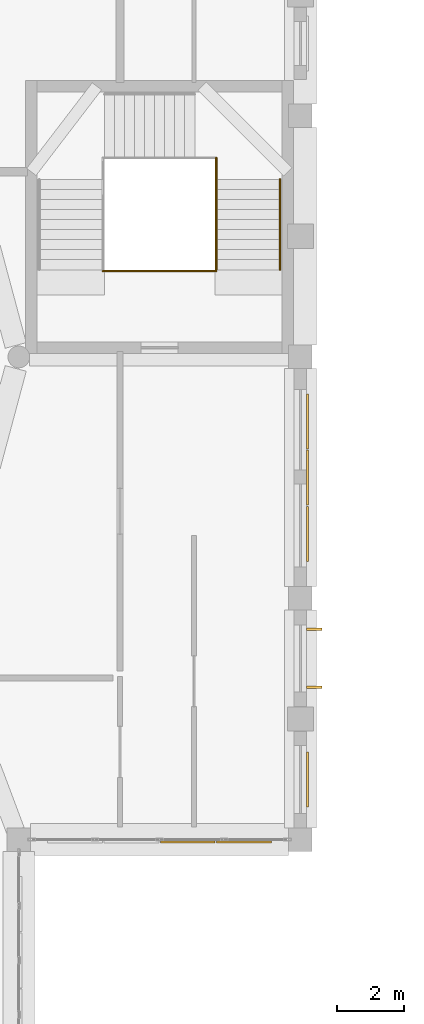
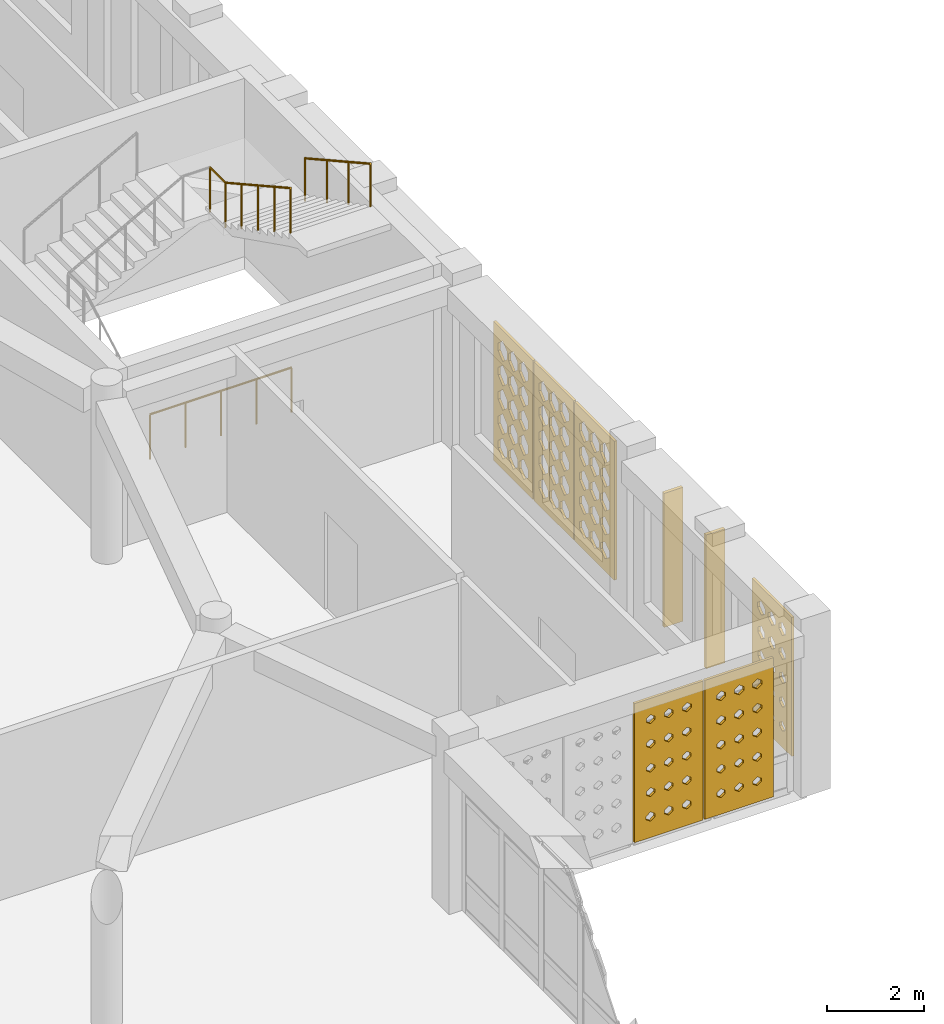
# One storey, part 67 of 79: 6 coverings, 3 railings, 2 shading devices.
"""IFC4 building model written with IfcOpenShell, lengths in metres."""

from ifc_helpers import new_model, si_unit, derived_unit, direction, frame, origin, origin_2d, place, context, subcontext, project, spatial, polyline, rectangle, circle, outline, extrude, material, layer, layer_set, type_object, element, save


model = new_model("IFC4")

# Units and contexts
model_context = context("Model", 3, precision=1e-05, world=origin(), true_north=direction((0.0, 1.0)))
body_context = subcontext(model_context, "Body", "Model", "MODEL_VIEW")
ifc_project = project(units=[si_unit("LENGTHUNIT", "METRE"), si_unit("AREAUNIT", "SQUARE_METRE"), si_unit("VOLUMEUNIT", "CUBIC_METRE"), si_unit("PLANEANGLEUNIT", "RADIAN"), si_unit("MASSUNIT", "GRAM", prefix="KILO"), derived_unit("THERMALTRANSMITTANCEUNIT", [(si_unit("POWERUNIT", "WATT"), 1), (si_unit("LENGTHUNIT", "METRE"), -2), (si_unit("THERMODYNAMICTEMPERATUREUNIT", "KELVIN"), -1)])], contexts=[model_context])

# Site, building, storey
site_placement = place(None, origin())
site = spatial("IfcSite", under=ifc_project, at=site_placement, CompositionType="ELEMENT")
building_placement = place(site_placement, origin())
building = spatial("IfcBuilding", under=site, at=building_placement, Name="Veybourne Emporium", CompositionType="ELEMENT")
storey_placement = place(building_placement, frame((0.0, 0.0, 18.89990234375)))
storey = spatial("IfcBuildingStorey", under=building, at=storey_placement, Name="L04", CompositionType="ELEMENT", Elevation=18.89990234375)

# Railings
ifc_material_1 = material(Name="Brushed Stainless Steel", Category="steel")
railing_type_1 = type_object("IfcRailingType", Name="Guard_GR-01", PredefinedType="GUARDRAIL", material=ifc_material_1)
railing_1_placement = place(storey_placement, frame((98.2900390625, 56.340087890625, 3.0)))
element("IfcRailing", 1, at=railing_1_placement, inside=storey, type_object=railing_type_1, Name="L04 ST-07 stair guard 3", PredefinedType="GUARDRAIL", context=body_context, shape_type="SweptSolid", body=[
    extrude(circle(Radius=0.02392578125, at=origin_2d()), frame((0.0, 0.0, 1.1259765625), z_axis=(0.0, -1.0, 0.0), x_axis=(1.0, 0.0, 0.0)), (0.0, 0.0, 1.0), 0.64013671875),
    extrude(circle(Radius=0.02392578125, at=origin_2d()), frame((0.0, -0.64013671875, 1.1259765625), z_axis=(0.0, -0.87415354758, 0.485649642493), x_axis=(1.0, 0.0, 0.0)), (0.0, 0.0, 1.0), 3.088623046875),
    extrude(circle(Radius=0.02099609375, at=origin_2d()), origin(), (0.0, 0.0, 1.0), 1.101806640625),
    extrude(circle(Radius=0.02099609375, at=origin_2d()), frame((0.0, -0.64013671875, 0.0)), (0.0, 0.0, 1.0), 1.101806640625),
    extrude(circle(Radius=0.02099609375, at=origin_2d()), frame((0.0, -1.315185546875, 0.375)), (0.0, 0.0, 1.0), 1.101806640625),
    extrude(circle(Radius=0.02099609375, at=origin_2d()), frame((0.0, -1.990234375, 0.75)), (0.0, 0.0, 1.0), 1.101806640625),
    extrude(circle(Radius=0.02099609375, at=origin_2d()), frame((0.0, -2.6650390625, 1.125)), (0.0, 0.0, 1.0), 1.101806640625),
    extrude(circle(Radius=0.02099609375, at=origin_2d()), frame((0.0, -3.340087890625, 1.5)), (0.0, 0.0, 1.0), 1.101806640625),
])
railing_2_placement = place(storey_placement, frame((94.909912109375, 52.9599609375, 0.0)))
element("IfcRailing", 2, at=railing_2_placement, inside=storey, type_object=railing_type_1, Name="L04 ST-07 stair guard 4", PredefinedType="GUARDRAIL", context=body_context, shape_type="SweptSolid", body=[
    extrude(circle(Radius=0.02392578125, at=origin_2d()), frame((0.0, 0.0, 1.1259765625), z_axis=(1.0, 0.0, 0.0), x_axis=(0.0, 1.0, 0.0)), (0.0, 0.0, 1.0), 3.380126953125),
    extrude(circle(Radius=0.02099609375, at=origin_2d()), origin(), (0.0, 0.0, 1.0), 1.101806640625),
    extrude(circle(Radius=0.02099609375, at=origin_2d()), frame((0.844970703125, 0.0, 0.0)), (0.0, 0.0, 1.0), 1.101806640625),
    extrude(circle(Radius=0.02099609375, at=origin_2d()), frame((1.68994140625, 0.0, 0.0)), (0.0, 0.0, 1.0), 1.101806640625),
    extrude(circle(Radius=0.02099609375, at=origin_2d()), frame((2.53515625, 0.0, 0.0)), (0.0, 0.0, 1.0), 1.101806640625),
    extrude(circle(Radius=0.02099609375, at=origin_2d()), frame((3.380126953125, 0.0, 0.0)), (0.0, 0.0, 1.0), 1.101806640625),
])
railing_type_2 = type_object("IfcRailingType", Name="Handrail_HR-01", PredefinedType="HANDRAIL", material=ifc_material_1)
railing_3_placement = place(storey_placement, frame((100.18994140625, 55.699951171875, 3.150146484375)))
element("IfcRailing", 3, at=railing_3_placement, inside=storey, type_object=railing_type_2, Name="L04 ST-07 pitch handrail 3", PredefinedType="HANDRAIL", context=body_context, shape_type="SweptSolid", body=[
    extrude(circle(Radius=0.02392578125, at=origin_2d()), frame((0.0, 0.0, 0.92578125), z_axis=(0.0, -0.87415354758, 0.485649642493), x_axis=(1.0, 0.0, 0.0)), (0.0, 0.0, 1.0), 3.088623046875),
    extrude(circle(Radius=0.02099609375, at=origin_2d()), frame((0.0, 0.0, -0.14990234375)), (0.0, 0.0, 1.0), 1.0517578125),
    extrude(circle(Radius=0.02099609375, at=origin_2d()), frame((0.0, -0.89990234375, 0.35009765625)), (0.0, 0.0, 1.0), 1.0517578125),
    extrude(circle(Radius=0.02099609375, at=origin_2d()), frame((0.0, -1.800048828125, 0.85009765625)), (0.0, 0.0, 1.0), 1.0517578125),
    extrude(circle(Radius=0.02099609375, at=origin_2d()), frame((0.0, -2.699951171875, 1.35009765625)), (0.0, 0.0, 1.0), 1.0517578125),
])

# Shading devices
ifc_material_2 = material(Name="Patinated Architectural Bronze", Category="bronze")
shading_device_type = type_object("IfcShadingDeviceType", Name="SolarFin_FIN-02", PredefinedType="USERDEFINED", material=ifc_material_2)
for number, where, z_axis, x_axis, name in (
    (4, (101.214111328125, 42.27392578125, 0.125244140625), (0.0, 0.0, 1.0), (0.0, -1.0, 0.0), "L04 bronze brise-soleil fin FIN-02 (49A.1)"),
    (5, (101.214111328125, 40.5458984375, 0.125244140625), (0.0, 0.0, 1.0), (0.0, -1.0, 0.0), "L04 bronze brise-soleil fin FIN-02 (49A.2)"),
):
    element("IfcShadingDevice", number, at=place(storey_placement, frame(where, z_axis=z_axis, x_axis=x_axis)), inside=storey, type_object=shading_device_type, Name=name, ObjectType="FIN", PredefinedType="USERDEFINED", context=body_context, shape_type="SweptSolid", body=[
        extrude(rectangle(XDim=0.074951171875, YDim=0.449951171875, at=origin_2d()), origin(), (0.0, 0.0, 1.0), 3.3798828125),
    ])

# Coverings
ifc_material_3 = material(Name="Warm-White Perforated Aluminium Screen Alloy", Category="aluminium")
ifc_layer_1 = layer(ifc_material_3, 0.06005859375)
ifc_layer_set_1 = layer_set([ifc_layer_1], Name="Warm-White Perforated Aluminium Screen Alloy")
covering_type_1 = type_object("IfcCoveringType", Name="WaveScreen_SCR-01", PredefinedType="CLADDING", material=ifc_layer_set_1)
covering_1_placement = place(storey_placement, frame((101.048095703125, 46.800048828125, 1.815185546875), z_axis=(-1.0, 0.0, 0.0), x_axis=(0.0, -1.0, 0.0)))
element("IfcCovering", 6, at=covering_1_placement, inside=storey, type_object=covering_type_1, Name="L04 wave-perforated aluminium screen SCR-01 (50.2)", PredefinedType="CLADDING", context=body_context, shape_type="SweptSolid", body=[
    extrude(outline(polyline([(-0.81982421875, -1.7548828125), (0.81982421875, -1.7548828125), (0.81982421875, 1.7548828125), (-0.81982421875, 1.7548828125), (-0.81982421875, -1.7548828125)]), holes=[polyline([(-0.433349609375, -0.980712890625), (-0.2470703125, -1.138916015625), (-0.2470703125, -1.31689453125), (-0.433349609375, -1.475341796875), (-0.61962890625, -1.31689453125), (-0.61962890625, -1.138916015625), (-0.433349609375, -0.980712890625)]), polyline([(-0.433349609375, -0.35693359375), (-0.2470703125, -0.521484375), (-0.2470703125, -0.70654296875), (-0.433349609375, -0.87109375), (-0.61962890625, -0.70654296875), (-0.61962890625, -0.521484375), (-0.433349609375, -0.35693359375)]), polyline([(-0.433349609375, 0.263916015625), (-0.2470703125, 0.094970703125), (-0.2470703125, -0.094970703125), (-0.433349609375, -0.263916015625), (-0.61962890625, -0.094970703125), (-0.61962890625, 0.094970703125), (-0.433349609375, 0.263916015625)]), polyline([(-0.433349609375, 0.8779296875), (-0.2470703125, 0.708984375), (-0.2470703125, 0.51904296875), (-0.433349609375, 0.35009765625), (-0.61962890625, 0.51904296875), (-0.61962890625, 0.708984375), (-0.433349609375, 0.8779296875)]), polyline([(-0.433349609375, 1.491943359375), (-0.2470703125, 1.322998046875), (-0.2470703125, 1.133056640625), (-0.433349609375, 0.964111328125), (-0.61962890625, 1.133056640625), (-0.61962890625, 1.322998046875), (-0.433349609375, 1.491943359375)]), polyline([(0.0, -0.985595703125), (0.186279296875, -1.140869140625), (0.186279296875, -1.315185546875), (0.0, -1.47021484375), (-0.186279296875, -1.315185546875), (-0.186279296875, -1.140869140625), (0.0, -0.985595703125)]), polyline([(0.0, -0.361083984375), (0.186279296875, -0.52294921875), (0.186279296875, -0.705078125), (0.0, -0.86669921875), (-0.186279296875, -0.705078125), (-0.186279296875, -0.52294921875), (0.0, -0.361083984375)]), polyline([(0.0, 0.261474609375), (0.186279296875, 0.09423828125), (0.186279296875, -0.09423828125), (0.0, -0.261474609375), (-0.186279296875, -0.09423828125), (-0.186279296875, 0.09423828125), (0.0, 0.261474609375)]), polyline([(0.0, 0.8779296875), (0.186279296875, 0.708984375), (0.186279296875, 0.51904296875), (0.0, 0.35009765625), (-0.186279296875, 0.51904296875), (-0.186279296875, 0.708984375), (0.0, 0.8779296875)]), polyline([(0.0, 1.491943359375), (0.186279296875, 1.322998046875), (0.186279296875, 1.133056640625), (0.0, 0.964111328125), (-0.186279296875, 1.133056640625), (-0.186279296875, 1.322998046875), (0.0, 1.491943359375)]), polyline([(0.433349609375, -0.990966796875), (0.61962890625, -1.142578125), (0.61962890625, -1.313232421875), (0.433349609375, -1.465087890625), (0.2470703125, -1.313232421875), (0.2470703125, -1.142578125), (0.433349609375, -0.990966796875)]), polyline([(0.433349609375, -0.36572265625), (0.61962890625, -0.524658203125), (0.61962890625, -0.703369140625), (0.433349609375, -0.8623046875), (0.2470703125, -0.703369140625), (0.2470703125, -0.524658203125), (0.433349609375, -0.36572265625)]), polyline([(0.433349609375, 0.2578125), (0.61962890625, 0.0927734375), (0.61962890625, -0.0927734375), (0.433349609375, -0.2578125), (0.2470703125, -0.0927734375), (0.2470703125, 0.0927734375), (0.433349609375, 0.2578125)]), polyline([(0.433349609375, 0.8779296875), (0.61962890625, 0.708984375), (0.61962890625, 0.51904296875), (0.433349609375, 0.35009765625), (0.2470703125, 0.51904296875), (0.2470703125, 0.708984375), (0.433349609375, 0.8779296875)]), polyline([(0.433349609375, 1.491943359375), (0.61962890625, 1.322998046875), (0.61962890625, 1.133056640625), (0.433349609375, 0.964111328125), (0.2470703125, 1.133056640625), (0.2470703125, 1.322998046875), (0.433349609375, 1.491943359375)])]), origin(), (0.0, 0.0, 1.0), 0.06005859375),
])
ifc_layer_2 = layer(ifc_material_3, 0.06005859375)
ifc_layer_set_2 = layer_set([ifc_layer_2], Name="Warm-White Perforated Aluminium Screen Alloy")
covering_type_2 = type_object("IfcCoveringType", Name="WaveScreen_SCR-02", PredefinedType="CLADDING", material=ifc_layer_set_2)
covering_2_placement = place(storey_placement, frame((99.1201171875, 35.903076171875, 1.815185546875), z_axis=(0.0, 1.0, 0.0), x_axis=(-1.0, 0.0, 0.0)))
element("IfcCovering", 7, at=covering_2_placement, inside=storey, type_object=covering_type_2, Name="L04 wave-perforated aluminium screen SCR-02 (48C.1)", PredefinedType="CLADDING", context=body_context, shape_type="SweptSolid", body=[
    extrude(outline(polyline([(-0.81982421875, -1.7548828125), (0.81982421875, -1.7548828125), (0.81982421875, 1.7548828125), (-0.81982421875, 1.7548828125), (-0.81982421875, -1.7548828125)]), holes=[polyline([(-0.433349609375, -1.117919921875), (-0.333251953125, -1.1884765625), (-0.333251953125, -1.267578125), (-0.433349609375, -1.337890625), (-0.533203125, -1.267578125), (-0.533203125, -1.1884765625), (-0.433349609375, -1.117919921875)]), polyline([(-0.433349609375, -0.502685546875), (-0.33251953125, -0.573974609375), (-0.33251953125, -0.654052734375), (-0.433349609375, -0.72509765625), (-0.5341796875, -0.654052734375), (-0.5341796875, -0.573974609375), (-0.433349609375, -0.502685546875)]), polyline([(-0.433349609375, 0.11474609375), (-0.329345703125, 0.041259765625), (-0.329345703125, -0.041259765625), (-0.433349609375, -0.11474609375), (-0.537353515625, -0.041259765625), (-0.537353515625, 0.041259765625), (-0.433349609375, 0.11474609375)]), polyline([(-0.433349609375, 0.734619140625), (-0.32470703125, 0.657470703125), (-0.32470703125, 0.570556640625), (-0.433349609375, 0.493408203125), (-0.5419921875, 0.570556640625), (-0.5419921875, 0.657470703125), (-0.433349609375, 0.734619140625)]), polyline([(-0.433349609375, 1.356689453125), (-0.318115234375, 1.2744140625), (-0.318115234375, 1.181640625), (-0.433349609375, 1.099365234375), (-0.548583984375, 1.181640625), (-0.548583984375, 1.2744140625), (-0.433349609375, 1.356689453125)]), polyline([(0.0, -1.11767578125), (0.10009765625, -1.188232421875), (0.10009765625, -1.267578125), (0.0, -1.33837890625), (-0.10009765625, -1.267578125), (-0.10009765625, -1.188232421875), (0.0, -1.11767578125)]), polyline([(0.0, -0.503662109375), (0.100341796875, -0.57421875), (0.100341796875, -0.65380859375), (0.0, -0.724365234375), (-0.100341796875, -0.65380859375), (-0.100341796875, -0.57421875), (0.0, -0.503662109375)]), polyline([(0.0, 0.11279296875), (0.102294921875, 0.04052734375), (0.102294921875, -0.04052734375), (0.0, -0.11279296875), (-0.102294921875, -0.04052734375), (-0.102294921875, 0.04052734375), (0.0, 0.11279296875)]), polyline([(0.0, 0.731689453125), (0.106201171875, 0.656494140625), (0.106201171875, 0.571533203125), (0.0, 0.496337890625), (-0.106201171875, 0.571533203125), (-0.106201171875, 0.656494140625), (0.0, 0.731689453125)]), polyline([(0.0, 1.352783203125), (0.112060546875, 1.27294921875), (0.112060546875, 1.18310546875), (0.0, 1.103271484375), (-0.112060546875, 1.18310546875), (-0.112060546875, 1.27294921875), (0.0, 1.352783203125)]), polyline([(0.433349609375, -1.116943359375), (0.5341796875, -1.18798828125), (0.5341796875, -1.26806640625), (0.433349609375, -1.339111328125), (0.33251953125, -1.26806640625), (0.33251953125, -1.18798828125), (0.433349609375, -1.116943359375)]), polyline([(0.433349609375, -0.50390625), (0.533203125, -0.574462890625), (0.533203125, -0.653564453125), (0.433349609375, -0.72412109375), (0.333251953125, -0.653564453125), (0.333251953125, -0.574462890625), (0.433349609375, -0.50390625)]), polyline([(0.433349609375, 0.111328125), (0.534423828125, 0.0400390625), (0.534423828125, -0.0400390625), (0.433349609375, -0.111328125), (0.332275390625, -0.0400390625), (0.332275390625, 0.0400390625), (0.433349609375, 0.111328125)]), polyline([(0.433349609375, 0.729248046875), (0.53759765625, 0.655517578125), (0.53759765625, 0.572509765625), (0.433349609375, 0.498779296875), (0.3291015625, 0.572509765625), (0.3291015625, 0.655517578125), (0.433349609375, 0.729248046875)]), polyline([(0.433349609375, 1.349365234375), (0.54248046875, 1.271728515625), (0.54248046875, 1.184326171875), (0.433349609375, 1.106689453125), (0.32421875, 1.184326171875), (0.32421875, 1.271728515625), (0.433349609375, 1.349365234375)])]), origin(), (0.0, 0.0, 1.0), 0.06005859375),
])
covering_3_placement = place(storey_placement, frame((101.048095703125, 45.1201171875, 1.815185546875), z_axis=(-1.0, 0.0, 0.0), x_axis=(0.0, -1.0, 0.0)))
element("IfcCovering", 8, at=covering_3_placement, inside=storey, type_object=covering_type_2, Name="L04 wave-perforated aluminium screen SCR-02 (50.3)", PredefinedType="CLADDING", context=body_context, shape_type="SweptSolid", body=[
    extrude(outline(polyline([(-0.81982421875, -1.7548828125), (0.81982421875, -1.7548828125), (0.81982421875, 1.7548828125), (-0.81982421875, 1.7548828125), (-0.81982421875, -1.7548828125)]), holes=[polyline([(-0.433349609375, -1.001708984375), (-0.2470703125, -1.146484375), (-0.2470703125, -1.3095703125), (-0.433349609375, -1.454345703125), (-0.61962890625, -1.3095703125), (-0.61962890625, -1.146484375), (-0.433349609375, -1.001708984375)]), polyline([(-0.433349609375, -0.375244140625), (-0.2470703125, -0.528076171875), (-0.2470703125, -0.699951171875), (-0.433349609375, -0.852783203125), (-0.61962890625, -0.699951171875), (-0.61962890625, -0.528076171875), (-0.433349609375, -0.375244140625)]), polyline([(-0.433349609375, 0.249755859375), (-0.2470703125, 0.08984375), (-0.2470703125, -0.08984375), (-0.433349609375, -0.249755859375), (-0.61962890625, -0.08984375), (-0.61962890625, 0.08984375), (-0.433349609375, 0.249755859375)]), polyline([(-0.433349609375, 0.873046875), (-0.2470703125, 0.707275390625), (-0.2470703125, 0.520751953125), (-0.433349609375, 0.35498046875), (-0.61962890625, 0.520751953125), (-0.61962890625, 0.707275390625), (-0.433349609375, 0.873046875)]), polyline([(-0.433349609375, 1.491943359375), (-0.2470703125, 1.322998046875), (-0.2470703125, 1.133056640625), (-0.433349609375, 0.964111328125), (-0.61962890625, 1.133056640625), (-0.61962890625, 1.322998046875), (-0.433349609375, 1.491943359375)]), polyline([(0.0, -1.007568359375), (0.186279296875, -1.148681640625), (0.186279296875, -1.307373046875), (0.0, -1.448486328125), (-0.186279296875, -1.307373046875), (-0.186279296875, -1.148681640625), (0.0, -1.007568359375)]), polyline([(0.0, -0.380615234375), (0.186279296875, -0.530029296875), (0.186279296875, -0.697998046875), (0.0, -0.847412109375), (-0.186279296875, -0.697998046875), (-0.186279296875, -0.530029296875), (0.0, -0.380615234375)]), polyline([(0.0, 0.2451171875), (0.186279296875, 0.088134765625), (0.186279296875, -0.088134765625), (0.0, -0.2451171875), (-0.186279296875, -0.088134765625), (-0.186279296875, 0.088134765625), (0.0, 0.2451171875)]), polyline([(0.0, 0.869140625), (0.186279296875, 0.705810546875), (0.186279296875, 0.522216796875), (0.0, 0.35888671875), (-0.186279296875, 0.522216796875), (-0.186279296875, 0.705810546875), (0.0, 0.869140625)]), polyline([(0.0, 1.491455078125), (0.186279296875, 1.32275390625), (0.186279296875, 1.13330078125), (0.0, 0.964599609375), (-0.186279296875, 1.13330078125), (-0.186279296875, 1.32275390625), (0.0, 1.491455078125)]), polyline([(0.433349609375, -1.013671875), (0.61865234375, -1.15087890625), (0.61865234375, -1.30517578125), (0.433349609375, -1.4423828125), (0.248046875, -1.30517578125), (0.248046875, -1.15087890625), (0.433349609375, -1.013671875)]), polyline([(0.433349609375, -0.386474609375), (0.61962890625, -0.531982421875), (0.61962890625, -0.69580078125), (0.433349609375, -0.841552734375), (0.2470703125, -0.69580078125), (0.2470703125, -0.531982421875), (0.433349609375, -0.386474609375)]), polyline([(0.433349609375, 0.23974609375), (0.61962890625, 0.086181640625), (0.61962890625, -0.086181640625), (0.433349609375, -0.23974609375), (0.2470703125, -0.086181640625), (0.2470703125, 0.086181640625), (0.433349609375, 0.23974609375)]), polyline([(0.433349609375, 0.86474609375), (0.61962890625, 0.704345703125), (0.61962890625, 0.523681640625), (0.433349609375, 0.36328125), (0.2470703125, 0.523681640625), (0.2470703125, 0.704345703125), (0.433349609375, 0.86474609375)]), polyline([(0.433349609375, 1.48779296875), (0.61962890625, 1.321533203125), (0.61962890625, 1.134521484375), (0.433349609375, 0.96826171875), (0.2470703125, 1.134521484375), (0.2470703125, 1.321533203125), (0.433349609375, 1.48779296875)])]), origin(), (0.0, 0.0, 1.0), 0.06005859375),
])
ifc_layer_3 = layer(ifc_material_3, 0.06005859375)
ifc_layer_set_3 = layer_set([ifc_layer_3], Name="Warm-White Perforated Aluminium Screen Alloy")
covering_type_3 = type_object("IfcCoveringType", Name="WaveScreen_SCR-03", PredefinedType="CLADDING", material=ifc_layer_set_3)
covering_4_placement = place(storey_placement, frame((97.43994140625, 35.903076171875, 1.815185546875), z_axis=(0.0, 1.0, 0.0), x_axis=(-1.0, 0.0, 0.0)))
element("IfcCovering", 9, at=covering_4_placement, inside=storey, type_object=covering_type_3, Name="L04 wave-perforated aluminium screen SCR-03 (48C.2)", PredefinedType="CLADDING", context=body_context, shape_type="SweptSolid", body=[
    extrude(outline(polyline([(-0.81982421875, -1.7548828125), (0.81982421875, -1.7548828125), (0.81982421875, 1.7548828125), (-0.81982421875, 1.7548828125), (-0.81982421875, -1.7548828125)]), holes=[polyline([(-0.433349609375, -1.1142578125), (-0.330078125, -1.18701171875), (-0.330078125, -1.26904296875), (-0.433349609375, -1.341796875), (-0.536376953125, -1.26904296875), (-0.536376953125, -1.18701171875), (-0.433349609375, -1.1142578125)]), polyline([(-0.433349609375, -0.50341796875), (-0.332763671875, -0.57421875), (-0.332763671875, -0.65380859375), (-0.433349609375, -0.724609375), (-0.533935546875, -0.65380859375), (-0.533935546875, -0.57421875), (-0.433349609375, -0.50341796875)]), polyline([(-0.433349609375, 0.110107421875), (-0.333251953125, 0.03955078125), (-0.333251953125, -0.03955078125), (-0.433349609375, -0.110107421875), (-0.533447265625, -0.03955078125), (-0.533447265625, 0.03955078125), (-0.433349609375, 0.110107421875)]), polyline([(-0.433349609375, 0.725830078125), (-0.331787109375, 0.654296875), (-0.331787109375, 0.57373046875), (-0.433349609375, 0.502197265625), (-0.534912109375, 0.57373046875), (-0.534912109375, 0.654296875), (-0.433349609375, 0.725830078125)]), polyline([(-0.433349609375, 1.343994140625), (-0.328369140625, 1.269775390625), (-0.328369140625, 1.186279296875), (-0.433349609375, 1.112060546875), (-0.538330078125, 1.186279296875), (-0.538330078125, 1.269775390625), (-0.433349609375, 1.343994140625)]), polyline([(0.0, -1.112060546875), (0.10498046875, -1.186279296875), (0.10498046875, -1.269775390625), (0.0, -1.343994140625), (-0.10498046875, -1.269775390625), (-0.10498046875, -1.186279296875), (0.0, -1.112060546875)]), polyline([(0.0, -0.502197265625), (0.1015625, -0.57373046875), (0.1015625, -0.654296875), (0.0, -0.725830078125), (-0.1015625, -0.654296875), (-0.1015625, -0.57373046875), (0.0, -0.502197265625)]), polyline([(0.0, 0.110107421875), (0.10009765625, 0.03955078125), (0.10009765625, -0.03955078125), (0.0, -0.110107421875), (-0.10009765625, -0.03955078125), (-0.10009765625, 0.03955078125), (0.0, 0.110107421875)]), polyline([(0.0, 0.724609375), (0.1005859375, 0.65380859375), (0.1005859375, 0.57421875), (0.0, 0.50341796875), (-0.1005859375, 0.57421875), (-0.1005859375, 0.65380859375), (0.0, 0.724609375)]), polyline([(0.0, 1.341796875), (0.10302734375, 1.26904296875), (0.10302734375, 1.18701171875), (0.0, 1.1142578125), (-0.10302734375, 1.18701171875), (-0.10302734375, 1.26904296875), (0.0, 1.341796875)]), polyline([(0.433349609375, -1.109375), (0.540283203125, -1.185302734375), (0.540283203125, -1.270751953125), (0.433349609375, -1.3466796875), (0.326416015625, -1.270751953125), (0.326416015625, -1.185302734375), (0.433349609375, -1.109375)]), polyline([(0.433349609375, -0.50048828125), (0.5361328125, -0.5732421875), (0.5361328125, -0.65478515625), (0.433349609375, -0.727294921875), (0.33056640625, -0.65478515625), (0.33056640625, -0.5732421875), (0.433349609375, -0.50048828125)]), polyline([(0.433349609375, 0.110595703125), (0.53369140625, 0.039794921875), (0.53369140625, -0.039794921875), (0.433349609375, -0.110595703125), (0.3330078125, -0.039794921875), (0.3330078125, 0.039794921875), (0.433349609375, 0.110595703125)]), polyline([(0.433349609375, 0.72412109375), (0.533447265625, 0.653564453125), (0.533447265625, 0.574462890625), (0.433349609375, 0.50390625), (0.333251953125, 0.574462890625), (0.333251953125, 0.653564453125), (0.433349609375, 0.72412109375)]), polyline([(0.433349609375, 1.340087890625), (0.53515625, 1.268310546875), (0.53515625, 1.1875), (0.433349609375, 1.115966796875), (0.33154296875, 1.1875), (0.33154296875, 1.268310546875), (0.433349609375, 1.340087890625)])]), origin(), (0.0, 0.0, 1.0), 0.06005859375),
])
covering_5_placement = place(storey_placement, frame((101.048095703125, 37.7900390625, 1.815185546875), z_axis=(-1.0, 0.0, 0.0), x_axis=(0.0, -1.0, 0.0)))
element("IfcCovering", 10, at=covering_5_placement, inside=storey, type_object=covering_type_3, Name="L04 wave-perforated aluminium screen SCR-03 (49B.1)", PredefinedType="CLADDING", context=body_context, shape_type="SweptSolid", body=[
    extrude(outline(polyline([(-0.81982421875, -1.7548828125), (0.81982421875, -1.7548828125), (0.81982421875, 1.7548828125), (-0.81982421875, 1.7548828125), (-0.81982421875, -1.7548828125)]), holes=[polyline([(-0.433349609375, -1.099853515625), (-0.318603515625, -1.181884765625), (-0.318603515625, -1.274169921875), (-0.433349609375, -1.356201171875), (-0.548095703125, -1.274169921875), (-0.548095703125, -1.181884765625), (-0.433349609375, -1.099853515625)]), polyline([(-0.433349609375, -0.476318359375), (-0.310546875, -0.564453125), (-0.310546875, -0.66357421875), (-0.433349609375, -0.751708984375), (-0.55615234375, -0.66357421875), (-0.55615234375, -0.564453125), (-0.433349609375, -0.476318359375)]), polyline([(-0.433349609375, 0.149169921875), (-0.30126953125, 0.0537109375), (-0.30126953125, -0.0537109375), (-0.433349609375, -0.149169921875), (-0.5654296875, -0.0537109375), (-0.5654296875, 0.0537109375), (-0.433349609375, 0.149169921875)]), polyline([(-0.433349609375, 0.77587890625), (-0.291015625, 0.67236328125), (-0.291015625, 0.5556640625), (-0.433349609375, 0.4521484375), (-0.57568359375, 0.5556640625), (-0.57568359375, 0.67236328125), (-0.433349609375, 0.77587890625)]), polyline([(-0.433349609375, 1.4033203125), (-0.27978515625, 1.291259765625), (-0.27978515625, 1.164794921875), (-0.433349609375, 1.052490234375), (-0.5869140625, 1.164794921875), (-0.5869140625, 1.291259765625), (-0.433349609375, 1.4033203125)]), polyline([(0.0, -1.103759765625), (0.11181640625, -1.183349609375), (0.11181640625, -1.272705078125), (0.0, -1.352294921875), (-0.11181640625, -1.272705078125), (-0.11181640625, -1.183349609375), (0.0, -1.103759765625)]), polyline([(0.0, -0.480712890625), (0.118896484375, -0.566162109375), (0.118896484375, -0.661865234375), (0.0, -0.747314453125), (-0.118896484375, -0.661865234375), (-0.118896484375, -0.566162109375), (0.0, -0.480712890625)]), polyline([(0.0, 0.143798828125), (0.127685546875, 0.0517578125), (0.127685546875, -0.0517578125), (0.0, -0.143798828125), (-0.127685546875, -0.0517578125), (-0.127685546875, 0.0517578125), (0.0, 0.143798828125)]), polyline([(0.0, 0.77001953125), (0.1376953125, 0.670166015625), (0.1376953125, 0.557861328125), (0.0, 0.4580078125), (-0.1376953125, 0.557861328125), (-0.1376953125, 0.670166015625), (0.0, 0.77001953125)]), polyline([(0.0, 1.397216796875), (0.1484375, 1.288818359375), (0.1484375, 1.1669921875), (0.0, 1.058837890625), (-0.1484375, 1.1669921875), (-0.1484375, 1.288818359375), (0.0, 1.397216796875)]), polyline([(0.433349609375, -1.107177734375), (0.542236328125, -1.1845703125), (0.542236328125, -1.271484375), (0.433349609375, -1.348876953125), (0.324462890625, -1.271484375), (0.324462890625, -1.1845703125), (0.433349609375, -1.107177734375)]), polyline([(0.433349609375, -0.485107421875), (0.548828125, -0.567626953125), (0.548828125, -0.660400390625), (0.433349609375, -0.742919921875), (0.31787109375, -0.660400390625), (0.31787109375, -0.567626953125), (0.433349609375, -0.485107421875)]), polyline([(0.433349609375, 0.138916015625), (0.556884765625, 0.050048828125), (0.556884765625, -0.050048828125), (0.433349609375, -0.138916015625), (0.309814453125, -0.050048828125), (0.309814453125, 0.050048828125), (0.433349609375, 0.138916015625)]), polyline([(0.433349609375, 0.764404296875), (0.56640625, 0.668212890625), (0.56640625, 0.559814453125), (0.433349609375, 0.463623046875), (0.30029296875, 0.559814453125), (0.30029296875, 0.668212890625), (0.433349609375, 0.764404296875)]), polyline([(0.433349609375, 1.39111328125), (0.576904296875, 1.28662109375), (0.576904296875, 1.169189453125), (0.433349609375, 1.06494140625), (0.289794921875, 1.169189453125), (0.289794921875, 1.28662109375), (0.433349609375, 1.39111328125)])]), origin(), (0.0, 0.0, 1.0), 0.06005859375),
])
ifc_layer_4 = layer(ifc_material_3, 0.06005859375)
ifc_layer_set_4 = layer_set([ifc_layer_4], Name="Warm-White Perforated Aluminium Screen Alloy")
covering_type_4 = type_object("IfcCoveringType", Name="WaveScreen_SCR-04", PredefinedType="CLADDING", material=ifc_layer_set_4)
covering_6_placement = place(storey_placement, frame((101.048095703125, 48.47998046875, 1.815185546875), z_axis=(-1.0, 0.0, 0.0), x_axis=(0.0, -1.0, 0.0)))
element("IfcCovering", 11, at=covering_6_placement, inside=storey, type_object=covering_type_4, Name="L04 wave-perforated aluminium screen SCR-04 (50.1)", PredefinedType="CLADDING", context=body_context, shape_type="SweptSolid", body=[
    extrude(outline(polyline([(-0.81982421875, -1.7548828125), (0.81982421875, -1.7548828125), (0.81982421875, 1.7548828125), (-0.81982421875, 1.7548828125), (-0.81982421875, -1.7548828125)]), holes=[polyline([(-0.433349609375, -0.96484375), (-0.2470703125, -1.13330078125), (-0.2470703125, -1.32275390625), (-0.433349609375, -1.4912109375), (-0.61962890625, -1.32275390625), (-0.61962890625, -1.13330078125), (-0.433349609375, -0.96484375)]), polyline([(-0.433349609375, -0.35009765625), (-0.2470703125, -0.51904296875), (-0.2470703125, -0.708984375), (-0.433349609375, -0.8779296875), (-0.61962890625, -0.708984375), (-0.61962890625, -0.51904296875), (-0.433349609375, -0.35009765625)]), polyline([(-0.433349609375, 0.263916015625), (-0.2470703125, 0.094970703125), (-0.2470703125, -0.094970703125), (-0.433349609375, -0.263916015625), (-0.61962890625, -0.094970703125), (-0.61962890625, 0.094970703125), (-0.433349609375, 0.263916015625)]), polyline([(-0.433349609375, 0.8779296875), (-0.2470703125, 0.708984375), (-0.2470703125, 0.51904296875), (-0.433349609375, 0.35009765625), (-0.61962890625, 0.51904296875), (-0.61962890625, 0.708984375), (-0.433349609375, 0.8779296875)]), polyline([(-0.433349609375, 1.491943359375), (-0.2470703125, 1.322998046875), (-0.2470703125, 1.133056640625), (-0.433349609375, 0.964111328125), (-0.61962890625, 1.133056640625), (-0.61962890625, 1.322998046875), (-0.433349609375, 1.491943359375)]), polyline([(0.0, -0.968505859375), (0.186279296875, -1.134521484375), (0.186279296875, -1.321533203125), (0.0, -1.487548828125), (-0.186279296875, -1.321533203125), (-0.186279296875, -1.134521484375), (0.0, -0.968505859375)]), polyline([(0.0, -0.35009765625), (0.186279296875, -0.51904296875), (0.186279296875, -0.708984375), (0.0, -0.8779296875), (-0.186279296875, -0.708984375), (-0.186279296875, -0.51904296875), (0.0, -0.35009765625)]), polyline([(0.0, 0.263916015625), (0.186279296875, 0.094970703125), (0.186279296875, -0.094970703125), (0.0, -0.263916015625), (-0.186279296875, -0.094970703125), (-0.186279296875, 0.094970703125), (0.0, 0.263916015625)]), polyline([(0.0, 0.8779296875), (0.186279296875, 0.708984375), (0.186279296875, 0.51904296875), (0.0, 0.35009765625), (-0.186279296875, 0.51904296875), (-0.186279296875, 0.708984375), (0.0, 0.8779296875)]), polyline([(0.0, 1.491943359375), (0.186279296875, 1.322998046875), (0.186279296875, 1.133056640625), (0.0, 0.964111328125), (-0.186279296875, 1.133056640625), (-0.186279296875, 1.322998046875), (0.0, 1.491943359375)]), polyline([(0.433349609375, -0.972412109375), (0.61962890625, -1.135986328125), (0.61962890625, -1.320068359375), (0.433349609375, -1.483642578125), (0.2470703125, -1.320068359375), (0.2470703125, -1.135986328125), (0.433349609375, -0.972412109375)]), polyline([(0.433349609375, -0.35009765625), (0.61962890625, -0.51904296875), (0.61962890625, -0.708984375), (0.433349609375, -0.877685546875), (0.2470703125, -0.708984375), (0.2470703125, -0.51904296875), (0.433349609375, -0.35009765625)]), polyline([(0.433349609375, 0.263916015625), (0.61962890625, 0.094970703125), (0.61962890625, -0.094970703125), (0.433349609375, -0.263916015625), (0.2470703125, -0.094970703125), (0.2470703125, 0.094970703125), (0.433349609375, 0.263916015625)]), polyline([(0.433349609375, 0.8779296875), (0.61962890625, 0.708984375), (0.61962890625, 0.51904296875), (0.433349609375, 0.35009765625), (0.2470703125, 0.51904296875), (0.2470703125, 0.708984375), (0.433349609375, 0.8779296875)]), polyline([(0.433349609375, 1.491943359375), (0.61962890625, 1.322998046875), (0.61962890625, 1.133056640625), (0.433349609375, 0.964111328125), (0.2470703125, 1.133056640625), (0.2470703125, 1.322998046875), (0.433349609375, 1.491943359375)])]), origin(), (0.0, 0.0, 1.0), 0.06005859375),
])

save(model, "model.ifc")
